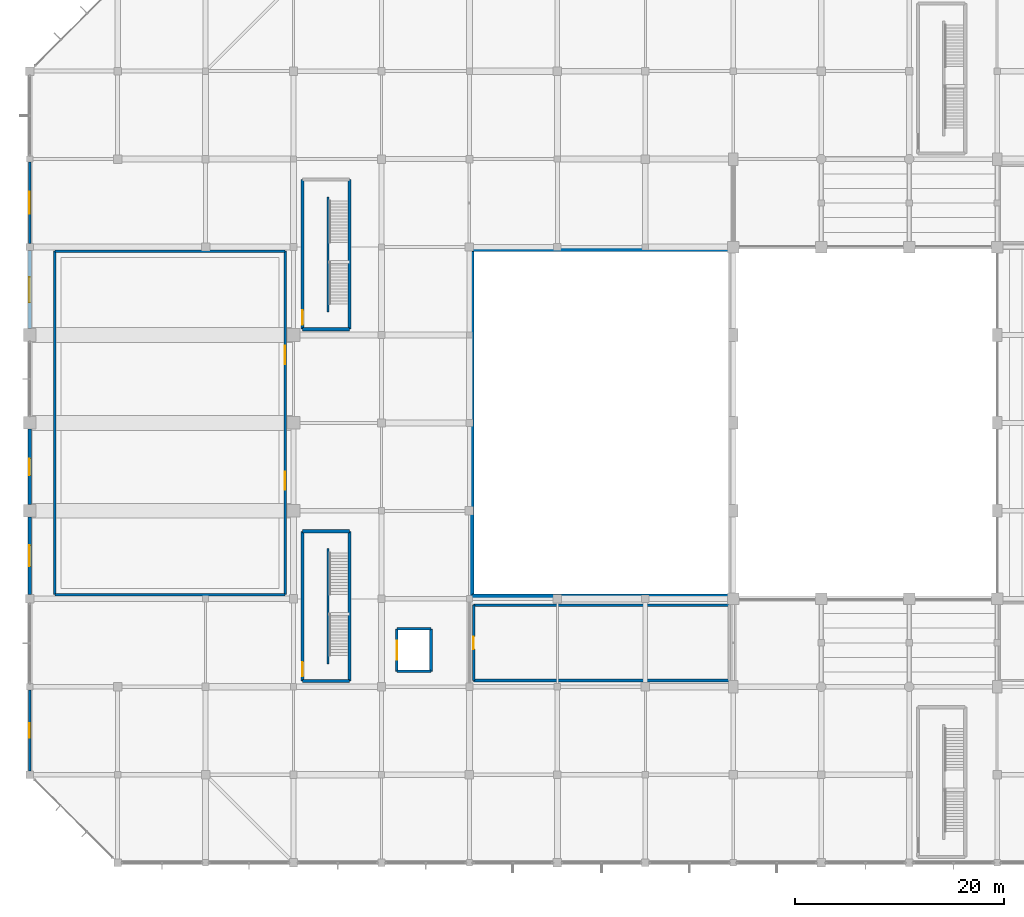
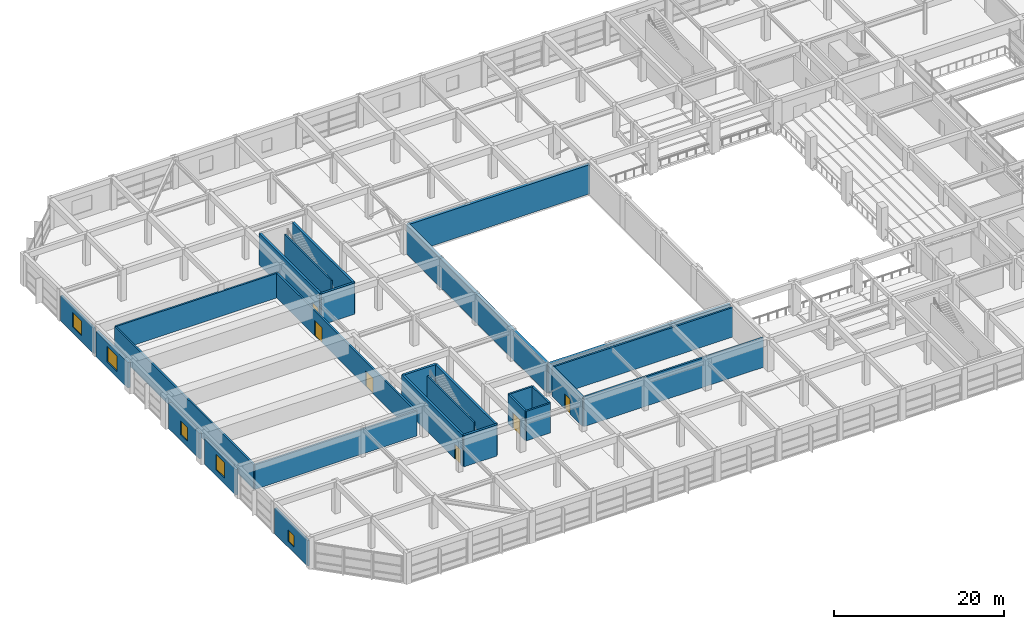
# One storey, part 49 of 62: 28 walls, 6 doors, 5 windows, 11 openings.
"""IFC4 building model written with IfcOpenShell, lengths in metres."""

from ifc_helpers import new_model, si_unit, direction, frame, frame_2d, origin, place, context, subcontext, project, spatial, rectangle, extrude, material, layer, layer_set, type_object, element, fill, save


model = new_model("IFC4")

# Units and contexts
model_context = context("Model", 3, precision=1e-05, world=origin(), true_north=direction((0.0, 1.0)))
body_context = subcontext(model_context, "Body", "Model", "MODEL_VIEW")
ifc_project = project(units=[si_unit("LENGTHUNIT", "METRE"), si_unit("AREAUNIT", "SQUARE_METRE"), si_unit("VOLUMEUNIT", "CUBIC_METRE"), si_unit("PLANEANGLEUNIT", "RADIAN"), si_unit("MASSUNIT", "GRAM", prefix="KILO")], contexts=[model_context])

# Site, building, storey
site_placement = place(None, origin())
site = spatial("IfcSite", under=ifc_project, at=site_placement, CompositionType="ELEMENT")
building_placement = place(site_placement, origin())
building = spatial("IfcBuilding", under=site, at=building_placement, Name="Xuanlan Plaza Opera House", CompositionType="ELEMENT")
storey_placement = place(building_placement, frame((0.0, 0.0, 14.39990234375)))
storey = spatial("IfcBuildingStorey", under=building, at=storey_placement, Name="L03", CompositionType="ELEMENT", Elevation=14.39990234375)

# Wall, opening, window
ifc_material_1 = material(Name="Anodised Aluminium 6063-T6 and Rockwool Cladding", Category="aluminium")
ifc_layer_1 = layer(ifc_material_1, 0.360107421875)
ifc_layer_set_1 = layer_set([ifc_layer_1], Name="Anodised Aluminium 6063-T6 and Rockwool Cladding")
wall_type_1 = type_object("IfcWallType", Name="ENV-WL-EW-01", PredefinedType="STANDARD", material=ifc_layer_set_1)
wall_1_placement = place(storey_placement, frame((0.0, 75.25, 0.0), z_axis=(0.0, 0.0, 1.0), x_axis=(0.0, -1.0, 0.0)))
wall_1 = element("IfcWall", 1, at=wall_1_placement, inside=storey, type_object=wall_type_1, Name="Exterior Wall L03-050", PredefinedType="STANDARD", context=body_context, shape_type="SweptSolid", body=[
    extrude(rectangle(XDim=7.449951171875, YDim=0.360107421875, at=frame_2d((3.72509765625, 0.0))), origin(), (0.0, 0.0, 1.0), 3.68017578125),
])
opening_1_placement = place(wall_1_placement, frame((2.52490234375, 0.0, 0.85009765625)))
opening_1 = element("IfcOpeningElement", 2, at=opening_1_placement, cuts=wall_1, Name="Opening WN-03", PredefinedType="OPENING", context=body_context, shape_type="SweptSolid", body=[
    extrude(rectangle(XDim=2.39990234375, YDim=2.199951171875, at=frame_2d((1.199951171875, 1.10009765625))), frame((0.0, 0.18994140625, 0.0), z_axis=(0.0, -1.0, 0.0), x_axis=(1.0, 0.0, 0.0)), (0.0, 0.0, 1.0), 0.380126953125),
])
ifc_material_2 = material(Name="Anodised Aluminium 6063-T6 and Low-E Glass", Category="aluminium")
window_type_1 = type_object("IfcWindowType", Name="ENV-WN-WN-03", PartitioningType="TRIPLE_PANEL_VERTICAL", PredefinedType="WINDOW", material=ifc_material_2)
window_1_placement = place(opening_1_placement, origin())
window_1 = element("IfcWindow", 3, at=window_1_placement, inside=storey, type_object=window_type_1, Name="Facade Window L03-050", OverallHeight=2.199951171875, OverallWidth=2.39990234375, PartitioningType="TRIPLE_PANEL_VERTICAL", PredefinedType="WINDOW", context=body_context, shape_type="SweptSolid", body=[
    extrude(rectangle(XDim=2.39990234375, YDim=2.199951171875, at=frame_2d((1.199951171875, 1.10009765625))), frame((0.0, 0.030029296875, 0.0), z_axis=(0.0, -1.0, 0.0), x_axis=(1.0, 0.0, 0.0)), (0.0, 0.0, 1.0), 0.06005859375),
])
fill(opening_1, window_1)

ifc_layer_2 = layer(ifc_material_1, 0.320068359375)
ifc_layer_set_2 = layer_set([ifc_layer_2], Name="Anodised Aluminium 6063-T6 and Rockwool Cladding")
wall_type_2 = type_object("IfcWallType", Name="ENV-WL-EW-03", PredefinedType="STANDARD", material=ifc_layer_set_2)
wall_2_placement = place(storey_placement, frame((0.0, 58.199951171875, 0.0), z_axis=(0.0, 0.0, 1.0), x_axis=(0.0, -1.0, 0.0)))
wall_2 = element("IfcWall", 4, at=wall_2_placement, inside=storey, type_object=wall_type_2, Name="Exterior Wall L03-052", PredefinedType="STANDARD", context=body_context, shape_type="SweptSolid", body=[
    extrude(rectangle(XDim=7.199951171875, YDim=0.320068359375, at=frame_2d((3.60009765625, 0.0))), origin(), (0.0, 0.0, 1.0), 3.68017578125),
])
opening_2_placement = place(wall_2_placement, frame((2.800048828125, 0.0, 0.85009765625)))
opening_2 = element("IfcOpeningElement", 5, at=opening_2_placement, cuts=wall_2, Name="Opening WN-05", PredefinedType="OPENING", context=body_context, shape_type="SweptSolid", body=[
    extrude(rectangle(XDim=1.60009765625, YDim=2.0, at=frame_2d((0.800048828125, 1.0))), frame((0.0, 0.169921875, 0.0), z_axis=(0.0, -1.0, 0.0), x_axis=(1.0, 0.0, 0.0)), (0.0, 0.0, 1.0), 0.340087890625),
])
window_type_2 = type_object("IfcWindowType", Name="ENV-WN-WN-05", PartitioningType="DOUBLE_PANEL_VERTICAL", PredefinedType="WINDOW", material=ifc_material_2)
window_2_placement = place(opening_2_placement, origin())
window_2 = element("IfcWindow", 6, at=window_2_placement, inside=storey, type_object=window_type_2, Name="Facade Window L03-052", OverallHeight=2.0, OverallWidth=1.60009765625, PartitioningType="DOUBLE_PANEL_VERTICAL", PredefinedType="WINDOW", context=body_context, shape_type="SweptSolid", body=[
    extrude(rectangle(XDim=1.60009765625, YDim=2.0, at=frame_2d((0.800048828125, 1.0))), frame((0.0, 0.030029296875, 0.0), z_axis=(0.0, -1.0, 0.0), x_axis=(1.0, 0.0, 0.0)), (0.0, 0.0, 1.0), 0.06005859375),
])
fill(opening_2, window_2)

ifc_layer_3 = layer(ifc_material_1, 0.31005859375)
ifc_layer_set_3 = layer_set([ifc_layer_3], Name="Anodised Aluminium 6063-T6 and Rockwool Cladding")
wall_type_3 = type_object("IfcWallType", Name="ENV-WL-EW-04", PredefinedType="STANDARD", material=ifc_layer_set_3)
wall_3_placement = place(storey_placement, frame((0.0, 49.800048828125, 0.0), z_axis=(0.0, 0.0, 1.0), x_axis=(0.0, -1.0, 0.0)))
wall_3 = element("IfcWall", 7, at=wall_3_placement, inside=storey, type_object=wall_type_3, Name="Exterior Wall L03-053", PredefinedType="STANDARD", context=body_context, shape_type="SweptSolid", body=[
    extrude(rectangle(XDim=7.400146484375, YDim=0.31005859375, at=frame_2d((3.7001953125, 0.0))), origin(), (0.0, 0.0, 1.0), 3.68017578125),
])
opening_3_placement = place(wall_3_placement, frame((2.699951171875, 0.0, 0.85009765625)))
opening_3 = element("IfcOpeningElement", 8, at=opening_3_placement, cuts=wall_3, Name="Opening WN-06", PredefinedType="OPENING", context=body_context, shape_type="SweptSolid", body=[
    extrude(rectangle(XDim=2.0, YDim=2.199951171875, at=frame_2d((1.0, 1.10009765625))), frame((0.0, 0.1650390625, 0.0), z_axis=(0.0, -1.0, 0.0), x_axis=(1.0, 0.0, 0.0)), (0.0, 0.0, 1.0), 0.330078125),
])
window_type_3 = type_object("IfcWindowType", Name="ENV-WN-WN-06", PartitioningType="DOUBLE_PANEL_VERTICAL", PredefinedType="WINDOW", material=ifc_material_2)
window_3_placement = place(opening_3_placement, origin())
window_3 = element("IfcWindow", 9, at=window_3_placement, inside=storey, type_object=window_type_3, Name="Facade Window L03-053", OverallHeight=2.199951171875, OverallWidth=2.0, PartitioningType="DOUBLE_PANEL_VERTICAL", PredefinedType="WINDOW", context=body_context, shape_type="SweptSolid", body=[
    extrude(rectangle(XDim=2.0, YDim=2.199951171875, at=frame_2d((1.0, 1.10009765625))), frame((0.0, 0.030029296875, 0.0), z_axis=(0.0, -1.0, 0.0), x_axis=(1.0, 0.0, 0.0)), (0.0, 0.0, 1.0), 0.06005859375),
])
fill(opening_3, window_3)

ifc_layer_4 = layer(ifc_material_1, 0.27001953125)
ifc_layer_set_4 = layer_set([ifc_layer_4], Name="Anodised Aluminium 6063-T6 and Rockwool Cladding")
wall_type_4 = type_object("IfcWallType", Name="ENV-WL-EW-06", PredefinedType="STANDARD", material=ifc_layer_set_4)
wall_4_placement = place(storey_placement, frame((0.0, 83.699951171875, 0.0), z_axis=(0.0, 0.0, 1.0), x_axis=(0.0, -1.0, 0.0)))
wall_4 = element("IfcWall", 10, at=wall_4_placement, inside=storey, type_object=wall_type_4, Name="Exterior Wall L03-049", PredefinedType="STANDARD", context=body_context, shape_type="SweptSolid", body=[
    extrude(rectangle(XDim=7.75, YDim=0.27001953125, at=frame_2d((3.875, 0.0))), origin(), (0.0, 0.0, 1.0), 3.68017578125),
])
opening_4_placement = place(wall_4_placement, frame((2.824951171875, 0.0, 0.85009765625)))
opening_4 = element("IfcOpeningElement", 11, at=opening_4_placement, cuts=wall_4, Name="Opening WN-02", PredefinedType="OPENING", context=body_context, shape_type="SweptSolid", body=[
    extrude(rectangle(XDim=2.10009765625, YDim=2.10009765625, at=frame_2d((1.050048828125, 1.050048828125))), frame((0.0, 0.14501953125, 0.0), z_axis=(0.0, -1.0, 0.0), x_axis=(1.0, 0.0, 0.0)), (0.0, 0.0, 1.0), 0.2900390625),
])
window_type_4 = type_object("IfcWindowType", Name="ENV-WN-WN-02", PartitioningType="DOUBLE_PANEL_VERTICAL", PredefinedType="WINDOW", material=ifc_material_2)
window_4_placement = place(opening_4_placement, origin())
window_4 = element("IfcWindow", 12, at=window_4_placement, inside=storey, type_object=window_type_4, Name="Facade Window L03-049", OverallHeight=2.10009765625, OverallWidth=2.10009765625, PartitioningType="DOUBLE_PANEL_VERTICAL", PredefinedType="WINDOW", context=body_context, shape_type="SweptSolid", body=[
    extrude(rectangle(XDim=2.10009765625, YDim=2.10009765625, at=frame_2d((1.050048828125, 1.050048828125))), frame((0.0, 0.030029296875, 0.0), z_axis=(0.0, -1.0, 0.0), x_axis=(1.0, 0.0, 0.0)), (0.0, 0.0, 1.0), 0.06005859375),
])
fill(opening_4, window_4)

wall_5_placement = place(storey_placement, frame((0.0, 33.300048828125, 0.0), z_axis=(0.0, 0.0, 1.0), x_axis=(0.0, -1.0, 0.0)))
wall_5 = element("IfcWall", 13, at=wall_5_placement, inside=storey, type_object=wall_type_4, Name="Exterior Wall L03-055", PredefinedType="STANDARD", context=body_context, shape_type="SweptSolid", body=[
    extrude(rectangle(XDim=7.75, YDim=0.27001953125, at=frame_2d((3.875, 0.0))), origin(), (0.0, 0.0, 1.0), 3.68017578125),
])
opening_5_placement = place(wall_5_placement, frame((3.175048828125, 0.0, 0.85009765625)))
opening_5 = element("IfcOpeningElement", 14, at=opening_5_placement, cuts=wall_5, Name="Opening WN-08", PredefinedType="OPENING", context=body_context, shape_type="SweptSolid", body=[
    extrude(rectangle(XDim=1.39990234375, YDim=1.60009765625, at=frame_2d((0.699951171875, 0.800048828125))), frame((0.0, 0.14501953125, 0.0), z_axis=(0.0, -1.0, 0.0), x_axis=(1.0, 0.0, 0.0)), (0.0, 0.0, 1.0), 0.2900390625),
])
window_type_5 = type_object("IfcWindowType", Name="ENV-WN-WN-08", PartitioningType="SINGLE_PANEL", PredefinedType="WINDOW", material=ifc_material_2)
window_5_placement = place(opening_5_placement, origin())
window_5 = element("IfcWindow", 15, at=window_5_placement, inside=storey, type_object=window_type_5, Name="Facade Window L03-055", OverallHeight=1.60009765625, OverallWidth=1.39990234375, PartitioningType="SINGLE_PANEL", PredefinedType="WINDOW", context=body_context, shape_type="SweptSolid", body=[
    extrude(rectangle(XDim=1.39990234375, YDim=1.60009765625, at=frame_2d((0.699951171875, 0.800048828125))), frame((0.0, 0.030029296875, 0.0), z_axis=(0.0, -1.0, 0.0), x_axis=(1.0, 0.0, 0.0)), (0.0, 0.0, 1.0), 0.06005859375),
])
fill(opening_5, window_5)

# Walls
ifc_material_3 = material(Name="Gypsum Board and Galvanised Steel Studs", Category="gypsum")
ifc_layer_5 = layer(ifc_material_3, 0.239990234375)
ifc_layer_set_5 = layer_set([ifc_layer_5], Name="Gypsum Board and Galvanised Steel Studs")
wall_type_5 = type_object("IfcWallType", Name="INT-WL-PW-01", PredefinedType="PARTITIONING", material=ifc_layer_set_5)
for number, where, z_axis, x_axis, name in (
    (16, (2.39990234375, 42.39990234375, 0.0), (0.0, 0.0, 1.0), (1.0, 0.0, 0.0), "Chorus Rehearsal Stage Wall South"),
    (17, (2.39990234375, 75.199951171875, 0.0), (0.0, 0.0, 1.0), (1.0, 0.0, 0.0), "Chorus Rehearsal Stage Wall North"),
):
    element("IfcWall", number, at=place(storey_placement, frame(where, z_axis=z_axis, x_axis=x_axis)), inside=storey, type_object=wall_type_5, Name=name, PredefinedType="PARTITIONING", context=body_context, shape_type="SweptSolid", body=[
        extrude(rectangle(XDim=22.0, YDim=0.239990234375, at=frame_2d((11.0, 0.0))), origin(), (0.0, 0.0, 1.0), 3.5400390625),
    ])
wall_6_placement = place(storey_placement, frame((2.39990234375, 42.39990234375, 0.0), z_axis=(0.0, 0.0, 1.0), x_axis=(0.0, 1.0, 0.0)))
element("IfcWall", 18, at=wall_6_placement, inside=storey, type_object=wall_type_5, Name="Chorus Rehearsal Stage Wall West", PredefinedType="PARTITIONING", context=body_context, shape_type="SweptSolid", body=[
    extrude(rectangle(XDim=32.800048828125, YDim=0.239990234375, at=frame_2d((16.39990234375, 0.0))), origin(), (0.0, 0.0, 1.0), 3.5400390625),
])

# Wall, openings, doors
wall_7_placement = place(storey_placement, frame((24.39990234375, 42.39990234375, 0.0), z_axis=(0.0, 0.0, 1.0), x_axis=(0.0, 1.0, 0.0)))
wall_7 = element("IfcWall", 19, at=wall_7_placement, inside=storey, type_object=wall_type_5, Name="Chorus Rehearsal Stage Wall East", PredefinedType="PARTITIONING", context=body_context, shape_type="SweptSolid", body=[
    extrude(rectangle(XDim=32.800048828125, YDim=0.239990234375, at=frame_2d((16.39990234375, 0.0))), origin(), (0.0, 0.0, 1.0), 3.5400390625),
])
opening_6_placement = place(wall_7_placement, frame((10.0, 0.0, 0.0)))
opening_6 = element("IfcOpeningElement", 20, at=opening_6_placement, cuts=wall_7, Name="Opening FD-03", PredefinedType="OPENING", context=body_context, shape_type="SweptSolid", body=[
    extrude(rectangle(XDim=1.75, YDim=2.199951171875, at=frame_2d((0.875, 1.10009765625))), frame((0.0, 0.1298828125, 0.0), z_axis=(0.0, -1.0, 0.0), x_axis=(1.0, 0.0, 0.0)), (0.0, 0.0, 1.0), 0.260009765625),
])
opening_7_placement = place(wall_7_placement, frame((22.0, 0.0, 0.0)))
opening_7 = element("IfcOpeningElement", 21, at=opening_7_placement, cuts=wall_7, Name="Opening FD-03", PredefinedType="OPENING", context=body_context, shape_type="SweptSolid", body=[
    extrude(rectangle(XDim=1.75, YDim=2.199951171875, at=frame_2d((0.875, 1.10009765625))), frame((0.0, 0.1298828125, 0.0), z_axis=(0.0, -1.0, 0.0), x_axis=(1.0, 0.0, 0.0)), (0.0, 0.0, 1.0), 0.260009765625),
])
ifc_material_4 = material(Name="Galvanised Steel Q235B", Category="steel")
door_type_1 = type_object("IfcDoorType", Name="INT-DR-FD-03", OperationType="DOUBLE_DOOR_SINGLE_SWING", PredefinedType="DOOR", material=ifc_material_4)
door_1_placement = place(opening_6_placement, origin())
door_1 = element("IfcDoor", 22, at=door_1_placement, inside=storey, type_object=door_type_1, Name="Chorus Rehearsal Stage Door 1", OperationType="DOUBLE_DOOR_SINGLE_SWING", OverallHeight=2.199951171875, OverallWidth=1.75, PredefinedType="DOOR", context=body_context, shape_type="SweptSolid", body=[
    extrude(rectangle(XDim=1.75, YDim=2.199951171875, at=frame_2d((0.875, 1.10009765625))), frame((0.0, 0.02490234375, 0.0), z_axis=(0.0, -1.0, 0.0), x_axis=(1.0, 0.0, 0.0)), (0.0, 0.0, 1.0), 0.050048828125),
])
fill(opening_6, door_1)
door_2_placement = place(opening_7_placement, origin())
door_2 = element("IfcDoor", 23, at=door_2_placement, inside=storey, type_object=door_type_1, Name="Chorus Rehearsal Stage Door 2", OperationType="DOUBLE_DOOR_SINGLE_SWING", OverallHeight=2.199951171875, OverallWidth=1.75, PredefinedType="DOOR", context=body_context, shape_type="SweptSolid", body=[
    extrude(rectangle(XDim=1.75, YDim=2.199951171875, at=frame_2d((0.875, 1.10009765625))), frame((0.0, 0.02490234375, 0.0), z_axis=(0.0, -1.0, 0.0), x_axis=(1.0, 0.0, 0.0)), (0.0, 0.0, 1.0), 0.050048828125),
])
fill(opening_7, door_2)

# Walls
ifc_material_5 = material(Name="Concrete C50", Category="concrete")
ifc_layer_6 = layer(ifc_material_5, 0.3798828125)
ifc_layer_set_6 = layer_set([ifc_layer_6], Name="Concrete C50")
wall_type_6 = type_object("IfcWallType", Name="INT-WL-SW-FW1", PredefinedType="SHEAR", material=ifc_layer_set_6)
wall_8_placement = place(storey_placement, frame((42.25, 42.25, 0.0), z_axis=(0.0, 0.0, 1.0), x_axis=(0.0, 1.0, 0.0)))
element("IfcWall", 24, at=wall_8_placement, inside=storey, type_object=wall_type_6, Name="Proscenium and Fly Shaft Wall L03-W", PredefinedType="SHEAR", context=body_context, shape_type="SweptSolid", body=[
    extrude(rectangle(XDim=33.10009765625, YDim=0.3798828125, at=frame_2d((16.550048828125, 0.0))), origin(), (0.0, 0.0, 1.0), 4.2001953125),
])
for number, where, z_axis, x_axis, name in (
    (25, (42.25, 42.25, 0.0), (0.0, 0.0, 1.0), (1.0, 0.0, 0.0), "Proscenium and Fly Shaft Wall L03-S"),
    (26, (42.25, 75.35009765625, 0.0), (0.0, 0.0, 1.0), (1.0, 0.0, 0.0), "Proscenium and Fly Shaft Wall L03-N"),
):
    element("IfcWall", number, at=place(storey_placement, frame(where, z_axis=z_axis, x_axis=x_axis)), inside=storey, type_object=wall_type_6, Name=name, PredefinedType="SHEAR", context=body_context, shape_type="SweptSolid", body=[
        extrude(rectangle(XDim=24.699951171875, YDim=0.3798828125, at=frame_2d((12.35009765625, 0.0))), origin(), (0.0, 0.0, 1.0), 4.2001953125),
    ])
ifc_material_6 = material(Name="Concrete C40", Category="concrete")
ifc_layer_7 = layer(ifc_material_6, 0.25)
ifc_layer_set_7 = layer_set([ifc_layer_7], Name="Concrete C40")
wall_type_7 = type_object("IfcWallType", Name="INT-WL-SW-LF1", PredefinedType="SHEAR", material=ifc_layer_set_7)
for number, where, z_axis, x_axis, name in (
    (27, (35.074951171875, 35.074951171875, 0.0), (0.0, 0.0, 1.0), (1.0, 0.0, 0.0), "Lift Shaft Wall LF-SC1 L03 South"),
    (28, (35.074951171875, 39.125, 0.0), (0.0, 0.0, 1.0), (1.0, 0.0, 0.0), "Lift Shaft Wall LF-SC1 L03 North"),
):
    element("IfcWall", number, at=place(storey_placement, frame(where, z_axis=z_axis, x_axis=x_axis)), inside=storey, type_object=wall_type_7, Name=name, PredefinedType="SHEAR", context=body_context, shape_type="SweptSolid", body=[
        extrude(rectangle(XDim=3.25, YDim=0.25, at=frame_2d((1.625, 0.0))), origin(), (0.0, 0.0, 1.0), 4.239990234375),
    ])

# Wall, opening, door
wall_9_placement = place(storey_placement, frame((35.074951171875, 35.074951171875, 0.0), z_axis=(0.0, 0.0, 1.0), x_axis=(0.0, 1.0, 0.0)))
wall_9 = element("IfcWall", 29, at=wall_9_placement, inside=storey, type_object=wall_type_7, Name="Lift Shaft Wall LF-SC1 L03 West", PredefinedType="SHEAR", context=body_context, shape_type="SweptSolid", body=[
    extrude(rectangle(XDim=4.050048828125, YDim=0.25, at=frame_2d((2.02490234375, 0.0))), origin(), (0.0, 0.0, 1.0), 4.239990234375),
])
opening_8_placement = place(wall_9_placement, frame((1.125, 0.0, 0.0)))
opening_8 = element("IfcOpeningElement", 30, at=opening_8_placement, cuts=wall_9, Name="Opening LD-SC1-L03", PredefinedType="OPENING", context=body_context, shape_type="SweptSolid", body=[
    extrude(rectangle(XDim=1.800048828125, YDim=2.300048828125, at=frame_2d((0.89990234375, 1.14990234375))), frame((0.0, 0.135009765625, 0.0), z_axis=(0.0, -1.0, 0.0), x_axis=(1.0, 0.0, 0.0)), (0.0, 0.0, 1.0), 0.27001953125),
])
ifc_material_7 = material(Name="Stainless Steel S30408", Category="steel")
door_type_2 = type_object("IfcDoorType", Name="INT-DR-LD-03", OperationType="DOUBLE_DOOR_SLIDING", PredefinedType="DOOR", material=ifc_material_7)
door_3_placement = place(opening_8_placement, origin())
door_3 = element("IfcDoor", 31, at=door_3_placement, inside=storey, type_object=door_type_2, Name="Lift Sliding Landing Door LF-SC1 L03", OperationType="DOUBLE_DOOR_SLIDING", OverallHeight=2.300048828125, OverallWidth=1.800048828125, PredefinedType="DOOR", context=body_context, shape_type="SweptSolid", body=[
    extrude(rectangle(XDim=1.800048828125, YDim=2.300048828125, at=frame_2d((0.89990234375, 1.14990234375))), frame((0.0, 0.02490234375, 0.0), z_axis=(0.0, -1.0, 0.0), x_axis=(1.0, 0.0, 0.0)), (0.0, 0.0, 1.0), 0.050048828125),
])
fill(opening_8, door_3)

# Walls
wall_10_placement = place(storey_placement, frame((38.324951171875, 35.074951171875, 0.0), z_axis=(0.0, 0.0, 1.0), x_axis=(0.0, 1.0, 0.0)))
element("IfcWall", 32, at=wall_10_placement, inside=storey, type_object=wall_type_7, Name="Lift Shaft Wall LF-SC1 L03 East", PredefinedType="SHEAR", context=body_context, shape_type="SweptSolid", body=[
    extrude(rectangle(XDim=4.050048828125, YDim=0.25, at=frame_2d((2.02490234375, 0.0))), origin(), (0.0, 0.0, 1.0), 4.239990234375),
])
for number, where, z_axis, x_axis, name in (
    (33, (42.39990234375, 34.199951171875, 0.0), (0.0, 0.0, 1.0), (1.0, 0.0, 0.0), "Fly Tower Rigging Walkway South Wall South"),
    (34, (42.39990234375, 41.39990234375, 0.0), (0.0, 0.0, 1.0), (1.0, 0.0, 0.0), "Fly Tower Rigging Walkway South Wall North"),
):
    element("IfcWall", number, at=place(storey_placement, frame(where, z_axis=z_axis, x_axis=x_axis)), inside=storey, type_object=wall_type_7, Name=name, PredefinedType="SHEAR", context=body_context, shape_type="SweptSolid", body=[
        extrude(rectangle(XDim=24.400146484375, YDim=0.25, at=frame_2d((12.2001953125, 0.0))), origin(), (0.0, 0.0, 1.0), 4.239990234375),
    ])

# Wall, opening, door
wall_11_placement = place(storey_placement, frame((42.39990234375, 34.199951171875, 0.0), z_axis=(0.0, 0.0, 1.0), x_axis=(0.0, 1.0, 0.0)))
wall_11 = element("IfcWall", 35, at=wall_11_placement, inside=storey, type_object=wall_type_7, Name="Fly Tower Rigging Walkway South Wall West", PredefinedType="SHEAR", context=body_context, shape_type="SweptSolid", body=[
    extrude(rectangle(XDim=7.199951171875, YDim=0.25, at=frame_2d((3.60009765625, 0.0))), origin(), (0.0, 0.0, 1.0), 4.239990234375),
])
opening_9_placement = place(wall_11_placement, frame((3.0, 0.0, 0.0)))
opening_9 = element("IfcOpeningElement", 36, at=opening_9_placement, cuts=wall_11, Name="Opening FD-02", PredefinedType="OPENING", context=body_context, shape_type="SweptSolid", body=[
    extrude(rectangle(XDim=1.199951171875, YDim=2.14990234375, at=frame_2d((0.60009765625, 1.074951171875))), frame((0.0, 0.135009765625, 0.0), z_axis=(0.0, -1.0, 0.0), x_axis=(1.0, 0.0, 0.0)), (0.0, 0.0, 1.0), 0.27001953125),
])
door_type_3 = type_object("IfcDoorType", Name="INT-DR-FD-02", OperationType="NOTDEFINED", PredefinedType="DOOR", material=ifc_material_4)
door_4_placement = place(opening_9_placement, origin())
door_4 = element("IfcDoor", 37, at=door_4_placement, inside=storey, type_object=door_type_3, Name="Fly Tower Rigging Walkway South Door 1", OperationType="SINGLE_SWING_RIGHT", OverallHeight=2.14990234375, OverallWidth=1.199951171875, PredefinedType="DOOR", context=body_context, shape_type="SweptSolid", body=[
    extrude(rectangle(XDim=1.199951171875, YDim=2.14990234375, at=frame_2d((0.60009765625, 1.074951171875))), frame((0.0, 0.02490234375, 0.0), z_axis=(0.0, -1.0, 0.0), x_axis=(1.0, 0.0, 0.0)), (0.0, 0.0, 1.0), 0.050048828125),
])
fill(opening_9, door_4)

# Walls
ifc_layer_8 = layer(ifc_material_6, 0.199951171875)
ifc_layer_set_8 = layer_set([ifc_layer_8], Name="Concrete C40")
wall_type_8 = type_object("IfcWallType", Name="INT-WL-SW-SPN", PredefinedType="SHEAR", material=ifc_layer_set_8)
for number, where, z_axis, x_axis, name in (
    (38, (28.5, 35.800048828125, 0.0), (0.0, 0.0, 1.0), (0.0, 1.0, 0.0), "Stair Structural Spine Wall ST-P1 L03"),
    (39, (28.5, 69.39990234375, 0.0), (0.0, 0.0, 1.0), (0.0, 1.0, 0.0), "Stair Structural Spine Wall ST-P2 L03"),
):
    element("IfcWall", number, at=place(storey_placement, frame(where, z_axis=z_axis, x_axis=x_axis)), inside=storey, type_object=wall_type_8, Name=name, PredefinedType="SHEAR", context=body_context, shape_type="SweptSolid", body=[
        extrude(rectangle(XDim=11.0, YDim=0.199951171875, at=frame_2d((5.5, 0.0))), origin(), (0.0, 0.0, 1.0), 4.5),
    ])
ifc_layer_9 = layer(ifc_material_6, 0.300048828125)
ifc_layer_set_9 = layer_set([ifc_layer_9], Name="Concrete C40")
wall_type_9 = type_object("IfcWallType", Name="INT-WL-SW-ST1", PredefinedType="SHEAR", material=ifc_layer_set_9)
for number, where, z_axis, x_axis, name in (
    (40, (26.050048828125, 34.14990234375, 0.0), (0.0, 0.0, 1.0), (1.0, 0.0, 0.0), "Stair Core Wall ST-P1 L03 South"),
    (41, (26.050048828125, 48.449951171875, 0.0), (0.0, 0.0, 1.0), (1.0, 0.0, 0.0), "Stair Core Wall ST-P1 L03 North"),
):
    element("IfcWall", number, at=place(storey_placement, frame(where, z_axis=z_axis, x_axis=x_axis)), inside=storey, type_object=wall_type_9, Name=name, PredefinedType="SHEAR", context=body_context, shape_type="SweptSolid", body=[
        extrude(rectangle(XDim=4.5, YDim=0.300048828125, at=frame_2d((2.25, 0.0))), origin(), (0.0, 0.0, 1.0), 4.5),
    ])

# Wall, opening, door
wall_12_placement = place(storey_placement, frame((26.050048828125, 34.14990234375, 0.0), z_axis=(0.0, 0.0, 1.0), x_axis=(0.0, 1.0, 0.0)))
wall_12 = element("IfcWall", 42, at=wall_12_placement, inside=storey, type_object=wall_type_9, Name="Stair Core Wall ST-P1 L03 West", PredefinedType="SHEAR", context=body_context, shape_type="SweptSolid", body=[
    extrude(rectangle(XDim=14.300048828125, YDim=0.300048828125, at=frame_2d((7.14990234375, 0.0))), origin(), (0.0, 0.0, 1.0), 4.5),
])
opening_10_placement = place(wall_12_placement, frame((0.449951171875, 0.0, 0.0)))
opening_10 = element("IfcOpeningElement", 43, at=opening_10_placement, cuts=wall_12, Name="Opening FD-ST2", PredefinedType="OPENING", context=body_context, shape_type="SweptSolid", body=[
    extrude(rectangle(XDim=1.35009765625, YDim=2.14990234375, at=frame_2d((0.675048828125, 1.074951171875))), frame((0.0, 0.159912109375, 0.0), z_axis=(0.0, -1.0, 0.0), x_axis=(1.0, 0.0, 0.0)), (0.0, 0.0, 1.0), 0.320068359375),
])
door_type_4 = type_object("IfcDoorType", Name="INT-DR-FD-ST2", OperationType="NOTDEFINED", PredefinedType="DOOR", material=ifc_material_4)
door_5_placement = place(opening_10_placement, frame((1.35009765625, 0.0, 0.0), z_axis=(0.0, 0.0, 1.0), x_axis=(-1.0, 0.0, 0.0)))
door_5 = element("IfcDoor", 44, at=door_5_placement, inside=storey, type_object=door_type_4, Name="Stair Enclosure Fire Door ST-P1 L03", OperationType="SINGLE_SWING_LEFT", OverallHeight=2.14990234375, OverallWidth=1.35009765625, PredefinedType="DOOR", context=body_context, shape_type="SweptSolid", body=[
    extrude(rectangle(XDim=1.35009765625, YDim=2.14990234375, at=frame_2d((0.675048828125, 1.074951171875))), frame((0.0, 0.02490234375, 0.0), z_axis=(0.0, -1.0, 0.0), x_axis=(1.0, 0.0, 0.0)), (0.0, 0.0, 1.0), 0.050048828125),
])
fill(opening_10, door_5)

# Walls
wall_13_placement = place(storey_placement, frame((30.550048828125, 34.14990234375, 0.0), z_axis=(0.0, 0.0, 1.0), x_axis=(0.0, 1.0, 0.0)))
element("IfcWall", 45, at=wall_13_placement, inside=storey, type_object=wall_type_9, Name="Stair Core Wall ST-P1 L03 East", PredefinedType="SHEAR", context=body_context, shape_type="SweptSolid", body=[
    extrude(rectangle(XDim=14.300048828125, YDim=0.300048828125, at=frame_2d((7.14990234375, 0.0))), origin(), (0.0, 0.0, 1.0), 4.5),
])
wall_14_placement = place(storey_placement, frame((26.050048828125, 67.75, 0.0), z_axis=(0.0, 0.0, 1.0), x_axis=(1.0, 0.0, 0.0)))
element("IfcWall", 46, at=wall_14_placement, inside=storey, type_object=wall_type_9, Name="Stair Core Wall ST-P2 L03 South", PredefinedType="SHEAR", context=body_context, shape_type="SweptSolid", body=[
    extrude(rectangle(XDim=4.5, YDim=0.300048828125, at=frame_2d((2.25, 0.0))), origin(), (0.0, 0.0, 1.0), 4.5),
])

# Wall, opening, door
wall_15_placement = place(storey_placement, frame((26.050048828125, 67.75, 0.0), z_axis=(0.0, 0.0, 1.0), x_axis=(0.0, 1.0, 0.0)))
wall_15 = element("IfcWall", 47, at=wall_15_placement, inside=storey, type_object=wall_type_9, Name="Stair Core Wall ST-P2 L03 West", PredefinedType="SHEAR", context=body_context, shape_type="SweptSolid", body=[
    extrude(rectangle(XDim=14.300048828125, YDim=0.300048828125, at=frame_2d((7.14990234375, 0.0))), origin(), (0.0, 0.0, 1.0), 4.5),
])
opening_11_placement = place(wall_15_placement, frame((0.449951171875, 0.0, 0.0)))
opening_11 = element("IfcOpeningElement", 48, at=opening_11_placement, cuts=wall_15, Name="Opening FD-ST2", PredefinedType="OPENING", context=body_context, shape_type="SweptSolid", body=[
    extrude(rectangle(XDim=1.35009765625, YDim=2.14990234375, at=frame_2d((0.675048828125, 1.074951171875))), frame((0.0, 0.159912109375, 0.0), z_axis=(0.0, -1.0, 0.0), x_axis=(1.0, 0.0, 0.0)), (0.0, 0.0, 1.0), 0.320068359375),
])
door_6_placement = place(opening_11_placement, frame((1.35009765625, 0.0, 0.0), z_axis=(0.0, 0.0, 1.0), x_axis=(-1.0, 0.0, 0.0)))
door_6 = element("IfcDoor", 49, at=door_6_placement, inside=storey, type_object=door_type_4, Name="Stair Enclosure Fire Door ST-P2 L03", OperationType="SINGLE_SWING_RIGHT", OverallHeight=2.14990234375, OverallWidth=1.35009765625, PredefinedType="DOOR", context=body_context, shape_type="SweptSolid", body=[
    extrude(rectangle(XDim=1.35009765625, YDim=2.14990234375, at=frame_2d((0.675048828125, 1.074951171875))), frame((0.0, 0.02490234375, 0.0), z_axis=(0.0, -1.0, 0.0), x_axis=(1.0, 0.0, 0.0)), (0.0, 0.0, 1.0), 0.050048828125),
])
fill(opening_11, door_6)

# Wall
wall_16_placement = place(storey_placement, frame((30.550048828125, 67.75, 0.0), z_axis=(0.0, 0.0, 1.0), x_axis=(0.0, 1.0, 0.0)))
element("IfcWall", 50, at=wall_16_placement, inside=storey, type_object=wall_type_9, Name="Stair Core Wall ST-P2 L03 East", PredefinedType="SHEAR", context=body_context, shape_type="SweptSolid", body=[
    extrude(rectangle(XDim=14.300048828125, YDim=0.300048828125, at=frame_2d((7.14990234375, 0.0))), origin(), (0.0, 0.0, 1.0), 4.5),
])

save(model, "model.ifc")
